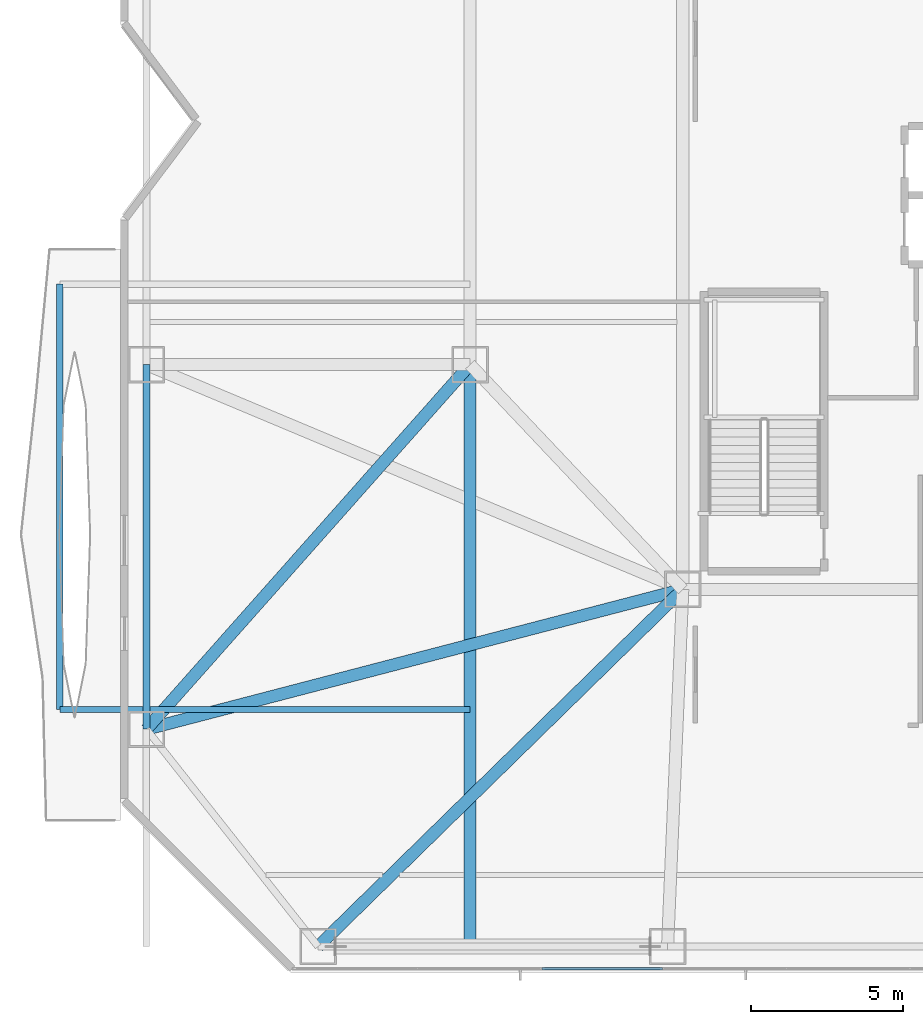
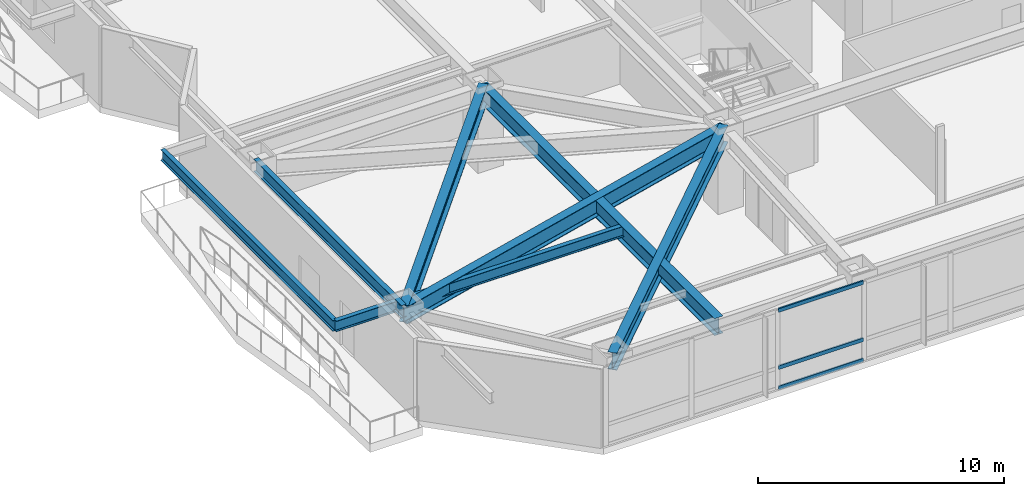
# One storey, part 3 of 32: 7 beams, 3 members, 1 element without a shape of its own.
"""IFC4 building model written with IfcOpenShell, lengths in metres."""

import ifcopenshell
import ifcopenshell.guid

model = None  # the IFC model being written
_history = None  # IfcOwnerHistory: only IFC2X3 demands one
_inside = {}  # id of a spatial element -> (the spatial element, [elements in it])
_under = {}  # id of a project, library or spatial element -> (it, [spatial elements below it])
_declared = {}  # id of a project -> (the project, [libraries it declares])
_typed = {}  # id of a type object -> (the type object, [elements of that type])
_made_of = {}  # id of a material, layer set ... -> (it, [elements and type objects made of it])


def new_model(schema):
    """Start an empty IFC model of exactly this schema.

    Asked for "IFC4X3", IfcOpenShell would pick the latest addendum, in which some entities
    have other attributes; the version numbers below select the first issue.
    IFC2X3 requires an IfcOwnerHistory on every rooted entity: one is made here for all.
    """
    global model, _history
    if schema == "IFC4X3":
        model = ifcopenshell.file(schema_version=(4, 3, 0, 0))
    else:
        model = ifcopenshell.file(schema=schema)
    _inside.clear()
    _under.clear()
    _declared.clear()
    _typed.clear()
    _made_of.clear()
    _history = None
    if model.schema == "IFC2X3":
        org = make("IfcOrganization", Name="unknown")
        user = make(
            "IfcPersonAndOrganization",
            ThePerson=make("IfcPerson", FamilyName="unknown"),
            TheOrganization=org,
        )
        app = make(
            "IfcApplication",
            ApplicationDeveloper=org,
            Version="unknown",
            ApplicationFullName="unknown",
            ApplicationIdentifier="unknown",
        )
        _history = make(
            "IfcOwnerHistory",
            OwningUser=user,
            OwningApplication=app,
            ChangeAction="ADDED",
            CreationDate=0,
        )
    return model


def make(cls, **values):
    """One entity of the class cls with the attributes given. An attribute that is None is left unset."""
    return model.create_entity(
        cls, **{name: value for name, value in values.items() if value is not None}
    )


def rooted(cls, **values):
    """An entity with a GlobalId (a new one), such as an element, a storey or a relation."""
    return make(cls, GlobalId=ifcopenshell.guid.new(), OwnerHistory=_history, **values)


def si_unit(unit_type, name, prefix=None):
    """IfcSIUnit, for example si_unit("LENGTHUNIT", "METRE", prefix="MILLI")."""
    return make("IfcSIUnit", UnitType=unit_type, Prefix=prefix, Name=name)


def assignment(units):
    """IfcUnitAssignment: the units of a project."""
    return None if units is None else make("IfcUnitAssignment", Units=units)


def point(xyz):
    """IfcCartesianPoint."""
    return None if xyz is None else make("IfcCartesianPoint", Coordinates=xyz)


def direction(xyz):
    """IfcDirection."""
    return None if xyz is None else make("IfcDirection", DirectionRatios=xyz)


def frame(location, z_axis=None, x_axis=None):
    """IfcAxis2Placement3D, a coordinate frame: its origin and axes. An axis left out is left unset."""
    return make(
        "IfcAxis2Placement3D",
        Location=point(location),
        Axis=direction(z_axis),
        RefDirection=direction(x_axis),
    )


def frame_2d(location, x_axis=None):
    """IfcAxis2Placement2D, a coordinate frame in the plane: its origin and x axis."""
    return make(
        "IfcAxis2Placement2D", Location=point(location), RefDirection=direction(x_axis)
    )


def origin():
    """The frame at (0, 0, 0) with its axes left unset."""
    return frame((0.0, 0.0, 0.0))


def origin_2d():
    """The frame at (0, 0) in the plane with its x axis left unset."""
    return frame_2d((0.0, 0.0))


def place(relative_to, where):
    """IfcLocalPlacement: puts the frame where relative to a parent placement (None: the world)."""
    return make(
        "IfcLocalPlacement", PlacementRelTo=relative_to, RelativePlacement=where
    )


def context(
    kind, dimensions, precision=None, world=None, true_north=None, identifier=None
):
    """IfcGeometricRepresentationContext, for example the 3D "Model" context."""
    return make(
        "IfcGeometricRepresentationContext",
        ContextIdentifier=identifier,
        ContextType=kind,
        CoordinateSpaceDimension=dimensions,
        Precision=precision,
        WorldCoordinateSystem=world,
        TrueNorth=true_north,
    )


def subcontext(parent, identifier, kind, view, scale=None):
    """IfcGeometricRepresentationSubContext, for example "Body" below "Model"."""
    return make(
        "IfcGeometricRepresentationSubContext",
        ContextIdentifier=identifier,
        ContextType=kind,
        ParentContext=parent,
        TargetScale=scale,
        TargetView=view,
    )


def project(units=None, contexts=None):
    """IfcProject with its units and contexts."""
    return rooted(
        "IfcProject",
        Name="project",
        RepresentationContexts=contexts,
        UnitsInContext=assignment(units),
    )


def spatial(cls, under=None, at=None, **own):
    """A site, building, storey or space (cls), placed at a placement, below another one or the project."""
    s = rooted(cls, ObjectPlacement=at, **own)
    if under is not None:
        _under.setdefault(under.id(), (under, []))[1].append(s)
    return s


def profile(cls, at=None, kind="AREA", **sizes):
    """A parametric profile (cls). Its sizes go by their IFC names, for example OverallWidth=200.0."""
    return make(cls, ProfileType=kind, Position=at, **sizes)


def hollow_rectangle(**sizes):
    """IfcRectangleHollowProfileDef."""
    return profile("IfcRectangleHollowProfileDef", **sizes)


def i_section(**sizes):
    """IfcIShapeProfileDef."""
    return profile("IfcIShapeProfileDef", **sizes)


def extrude(swept, where, along, depth):
    """IfcExtrudedAreaSolid: the profile swept, set in the frame where, extruded along a direction by depth."""
    return make(
        "IfcExtrudedAreaSolid",
        SweptArea=swept,
        Position=where,
        ExtrudedDirection=direction(along),
        Depth=depth,
    )


def shape(context_of_items, identifier, shape_type, items):
    """IfcShapeRepresentation: the items that make up one representation, for example the "Body"."""
    return make(
        "IfcShapeRepresentation",
        ContextOfItems=context_of_items,
        RepresentationIdentifier=identifier,
        RepresentationType=shape_type,
        Items=items,
    )


def material(Name=None, Category=None):
    """IfcMaterial."""
    return make("IfcMaterial", Name=Name, Category=Category)


def material_profile(
    of_material, cross_section, Name=None, Category=None, Priority=None
):
    """IfcMaterialProfile: a cross section and its material."""
    return make(
        "IfcMaterialProfile",
        Name=Name,
        Material=of_material,
        Profile=cross_section,
        Priority=Priority,
        Category=Category,
    )


def profile_set(profiles, Name=None, composite=None):
    """IfcMaterialProfileSet."""
    return make(
        "IfcMaterialProfileSet",
        Name=Name,
        MaterialProfiles=profiles,
        CompositeProfile=composite,
    )


def made_of(thing, what):
    """Note that an element or type object is made of a material, layer set ...; save() writes the relation."""
    if what is not None:
        _made_of.setdefault(what.id(), (what, []))[1].append(thing)
    return thing


def type_object(cls, material=None, **own):
    """A type object (cls), such as IfcWallType, which elements share."""
    return made_of(rooted(cls, **own), material)


def element(
    cls,
    number,
    at=None,
    inside=None,
    cuts=None,
    type_object=None,
    material=None,
    context=None,
    identifier="Body",
    shape_type=None,
    held_by="IfcProductDefinitionShape",
    body=None,
    shapes=None,
    **own,
):
    """One element of the class cls, such as IfcWall. Its Tag is "e" and its number.

    at: its placement. inside: the storey or other place that contains it. cuts: it is an
    opening in that element (IfcRelVoidsElement). A single representation is given by context,
    identifier, shape_type and body (its items); several are given by shapes. held_by: the class
    of the entity that holds the representations. save() writes the other relations.
    """
    e = rooted(cls, Tag="e%d" % number, ObjectPlacement=at, **own)
    if body is not None:
        shapes = [shape(context, identifier, shape_type, body)]
    if shapes is not None:
        e.Representation = make(held_by, Representations=shapes)
    if inside is not None:
        _inside.setdefault(inside.id(), (inside, []))[1].append(e)
    if cuts is not None:
        rooted(
            "IfcRelVoidsElement", RelatingBuildingElement=cuts, RelatedOpeningElement=e
        )
    if type_object is not None:
        _typed.setdefault(type_object.id(), (type_object, []))[1].append(e)
    return made_of(e, material)


def aggregate(whole, parts):
    """IfcRelAggregates: a whole, such as a stair, and the parts it consists of."""
    return rooted("IfcRelAggregates", RelatingObject=whole, RelatedObjects=parts)


def save(model, path):
    """Write the relations noted so far, then the file.

    IfcRelAggregates (storeys below a building ...), IfcRelContainedInSpatialStructure (elements
    in a storey), IfcRelDefinesByType, IfcRelAssociatesMaterial and IfcRelDeclares: one each for
    every whole, place, type object, material and project.
    """
    for whole, parts in _under.values():
        aggregate(whole, parts)
    for where, things in _inside.values():
        rooted(
            "IfcRelContainedInSpatialStructure",
            RelatedElements=things,
            RelatingStructure=where,
        )
    for kind, things in _typed.values():
        rooted("IfcRelDefinesByType", RelatedObjects=things, RelatingType=kind)
    for what, things in _made_of.values():
        rooted("IfcRelAssociatesMaterial", RelatedObjects=things, RelatingMaterial=what)
    for by, libraries in _declared.values():
        rooted("IfcRelDeclares", RelatingContext=by, RelatedDefinitions=libraries)
    model.write(path)


model = new_model("IFC4")

# Units and contexts
model_context = context("Model", 3, precision=1e-05, world=origin(), true_north=direction((0.0, 1.0)))
body_context = subcontext(model_context, "Body", "Model", "MODEL_VIEW")
ifc_project = project(units=[si_unit("LENGTHUNIT", "METRE"), si_unit("AREAUNIT", "SQUARE_METRE"), si_unit("VOLUMEUNIT", "CUBIC_METRE"), si_unit("PLANEANGLEUNIT", "RADIAN"), si_unit("MASSUNIT", "GRAM", prefix="KILO")], contexts=[model_context])

# Site, building, storey
site_placement = place(None, origin())
site = spatial("IfcSite", under=ifc_project, at=site_placement, CompositionType="ELEMENT")
building_placement = place(site_placement, origin())
building = spatial("IfcBuilding", under=site, at=building_placement, Name="Khamvora Tower", CompositionType="ELEMENT")
storey_placement = place(building_placement, frame((0.0, 0.0, 12.0)))
storey = spatial("IfcBuildingStorey", under=building, at=storey_placement, Name="L02", CompositionType="ELEMENT", Elevation=12.0)

# Beams
ifc_material_1 = material(Name="Steel S355", Category="steel")
ifc_material_profile_1 = material_profile(ifc_material_1, i_section(OverallWidth=0.39990234375, OverallDepth=0.85498046875, WebThickness=0.01806640625, FlangeThickness=0.029052734375, FilletRadius=0.01806640625, at=origin_2d()), Name="W840x299")
ifc_profile_set_1 = profile_set([ifc_material_profile_1], Name="Steel S355")
beam_type_1 = type_object("IfcBeamType", Name="BM-PG-W840x299", PredefinedType="BEAM", material=ifc_profile_set_1)
beam_1_placement = place(storey_placement, frame((18.5, 12.60009765625, 3.491943359375), z_axis=(-0.714510426493, -0.699624792608, 0.0), x_axis=(0.699624792608, -0.714510426493, 0.0)))
element("IfcBeam", 1, at=beam_1_placement, inside=storey, type_object=beam_type_1, Name="L02 primary floor girder P01", PredefinedType="BEAM", context=body_context, shape_type="SweptSolid", body=[
    extrude(i_section(OverallWidth=0.39990234375, OverallDepth=0.85498046875, WebThickness=0.01806640625, FlangeThickness=0.029052734375, FilletRadius=0.01806640625, at=origin_2d()), origin(), (0.0, 0.0, 1.0), 16.794677734375),
])
beam_2_placement = place(storey_placement, frame((11.5, 20.0, 3.491943359375), z_axis=(-0.6637799472, -0.747927925468, 0.0), x_axis=(0.747927925468, -0.6637799472, 0.0)))
element("IfcBeam", 2, at=beam_2_placement, inside=storey, type_object=beam_type_1, Name="L02 primary floor girder P09", PredefinedType="BEAM", context=body_context, shape_type="SweptSolid", body=[
    extrude(i_section(OverallWidth=0.39990234375, OverallDepth=0.85498046875, WebThickness=0.01806640625, FlangeThickness=0.029052734375, FilletRadius=0.01806640625, at=origin_2d()), origin(), (0.0, 0.0, 1.0), 16.04443359375),
])
beam_3_placement = place(storey_placement, frame((0.85009765625, 8.0, 3.491943359375), z_axis=(0.967673821538, 0.252205025942, 0.0), x_axis=(-0.252205025942, 0.967673821538, 0.0)))
element("IfcBeam", 3, at=beam_3_placement, inside=storey, type_object=beam_type_1, Name="L02 west plinth tie girder 1", PredefinedType="BEAM", context=body_context, shape_type="SweptSolid", body=[
    extrude(i_section(OverallWidth=0.39990234375, OverallDepth=0.85498046875, WebThickness=0.01806640625, FlangeThickness=0.029052734375, FilletRadius=0.01806640625, at=origin_2d()), origin(), (0.0, 0.0, 1.0), 18.239501953125),
])
beam_4_placement = place(storey_placement, frame((11.5, 0.85009765625, 3.491943359375), z_axis=(0.0, 1.0, 0.0), x_axis=(-1.0, 0.0, 0.0)))
element("IfcBeam", 4, at=beam_4_placement, inside=storey, type_object=beam_type_1, Name="L02 gallery collector girder W.1", PredefinedType="BEAM", context=body_context, shape_type="SweptSolid", body=[
    extrude(i_section(OverallWidth=0.39990234375, OverallDepth=0.85498046875, WebThickness=0.01806640625, FlangeThickness=0.029052734375, FilletRadius=0.01806640625, at=origin_2d()), origin(), (0.0, 0.0, 1.0), 19.14990234375),
])
ifc_material_profile_2 = material_profile(ifc_material_1, i_section(OverallWidth=0.208984375, OverallDepth=0.532958984375, WebThickness=0.010009765625, FlangeThickness=0.01611328125, FilletRadius=0.013916015625, at=origin_2d()), Name="W530x92")
ifc_profile_set_2 = profile_set([ifc_material_profile_2], Name="Steel S355")
beam_type_2 = type_object("IfcBeamType", Name="BM-SP-W530x92", PredefinedType="SPANDREL", material=ifc_profile_set_2)
beam_5_placement = place(storey_placement, frame((11.5, 8.64990234375, 3.512939453125), z_axis=(-1.0, 0.0, 0.0), x_axis=(0.0, -1.0, 0.0)))
element("IfcBeam", 5, at=beam_5_placement, inside=storey, type_object=beam_type_2, Name="L02 continuous gallery cantilever girder L03-WL1-1", PredefinedType="SPANDREL", context=body_context, shape_type="SweptSolid", body=[
    extrude(i_section(OverallWidth=0.208984375, OverallDepth=0.532958984375, WebThickness=0.010009765625, FlangeThickness=0.01611328125, FilletRadius=0.013916015625, at=origin_2d()), origin(), (0.0, 0.0, 1.0), 13.5),
])
beam_6_placement = place(storey_placement, frame((-2.0, 8.64990234375, 3.512939453125), z_axis=(0.0, 1.0, 0.0), x_axis=(-1.0, 0.0, 0.0)))
element("IfcBeam", 6, at=beam_6_placement, inside=storey, type_object=beam_type_2, Name="L02 external gallery edge header beam L03-WL1", PredefinedType="SPANDREL", context=body_context, shape_type="SweptSolid", body=[
    extrude(i_section(OverallWidth=0.208984375, OverallDepth=0.532958984375, WebThickness=0.010009765625, FlangeThickness=0.01611328125, FilletRadius=0.013916015625, at=origin_2d()), origin(), (0.0, 0.0, 1.0), 14.0),
])
ifc_material_profile_3 = material_profile(ifc_material_1, i_section(OverallWidth=0.22998046875, OverallDepth=0.616943359375, WebThickness=0.012939453125, FlangeThickness=0.02197265625, FilletRadius=0.013916015625, at=origin_2d()), Name="W610x140")
ifc_profile_set_3 = profile_set([ifc_material_profile_3], Name="Steel S355")
beam_type_3 = type_object("IfcBeamType", Name="BM-SP-W610x140", PredefinedType="SPANDREL", material=ifc_profile_set_3)
beam_7_placement = place(storey_placement, frame((0.85009765625, 20.0, 3.611083984375), z_axis=(0.0, -1.0, 0.0), x_axis=(1.0, 0.0, 0.0)))
element("IfcBeam", 7, at=beam_7_placement, inside=storey, type_object=beam_type_3, Name="L02 perimeter spandrel beam P10-P09", PredefinedType="SPANDREL", context=body_context, shape_type="SweptSolid", body=[
    extrude(i_section(OverallWidth=0.22998046875, OverallDepth=0.616943359375, WebThickness=0.012939453125, FlangeThickness=0.02197265625, FilletRadius=0.013916015625, at=origin_2d()), origin(), (0.0, 0.0, 1.0), 12.0),
])

# Curtain wall, members
ifc_material_2 = material(Name="Anodised Aluminium 6063-T6", Category="aluminium")
curtain_wall_type = type_object("IfcCurtainWallType", Name="CW-SYS-01", PredefinedType="NOTDEFINED", material=ifc_material_2)
curtain_wall_placement = place(storey_placement, origin())
curtain_wall = element("IfcCurtainWall", 8, at=curtain_wall_placement, inside=storey, type_object=curtain_wall_type, Name="L02 stick curtain wall 14.1", PredefinedType="NOTDEFINED")
ifc_material_profile_4 = material_profile(ifc_material_2, hollow_rectangle(XDim=0.074951171875, YDim=0.179931640625, WallThickness=0.0048828125, at=origin_2d()), Name="TRN75x180x5")
ifc_profile_set_4 = profile_set([ifc_material_profile_4], Name="Anodised Aluminium 6063-T6")
member_type = type_object("IfcMemberType", Name="CW-SYS-01-TRN", PredefinedType="USERDEFINED", material=ifc_profile_set_4)
member_1_placement = place(storey_placement, frame((17.83740234375, 0.1201171875, 0.03759765625), z_axis=(-1.0, 0.0, 0.0), x_axis=(0.0, -1.0, 0.0)))
member_1 = element("IfcMember", 9, at=member_1_placement, type_object=member_type, Name="CW-01 transom 9.1", ObjectType="TRANSOM", PredefinedType="USERDEFINED", context=body_context, shape_type="SweptSolid", body=[
    extrude(hollow_rectangle(XDim=0.074951171875, YDim=0.179931640625, WallThickness=0.0048828125, at=origin_2d()), origin(), (0.0, 0.0, 1.0), 3.974853515625),
])
member_2_placement = place(storey_placement, frame((17.83740234375, 0.1201171875, 1.050048828125), z_axis=(-1.0, 0.0, 0.0), x_axis=(0.0, -1.0, 0.0)))
member_2 = element("IfcMember", 10, at=member_2_placement, type_object=member_type, Name="CW-01 transom 9.2", ObjectType="TRANSOM", PredefinedType="USERDEFINED", context=body_context, shape_type="SweptSolid", body=[
    extrude(hollow_rectangle(XDim=0.074951171875, YDim=0.179931640625, WallThickness=0.0048828125, at=origin_2d()), origin(), (0.0, 0.0, 1.0), 3.974853515625),
])
member_3_placement = place(storey_placement, frame((17.83740234375, 0.1201171875, 3.882568359375), z_axis=(-1.0, 0.0, 0.0), x_axis=(0.0, -1.0, 0.0)))
member_3 = element("IfcMember", 11, at=member_3_placement, type_object=member_type, Name="CW-01 transom 9.3", ObjectType="TRANSOM", PredefinedType="USERDEFINED", context=body_context, shape_type="SweptSolid", body=[
    extrude(hollow_rectangle(XDim=0.074951171875, YDim=0.179931640625, WallThickness=0.0048828125, at=origin_2d()), origin(), (0.0, 0.0, 1.0), 3.974853515625),
])
aggregate(curtain_wall, [member_1, member_2, member_3])

save(model, "model.ifc")
